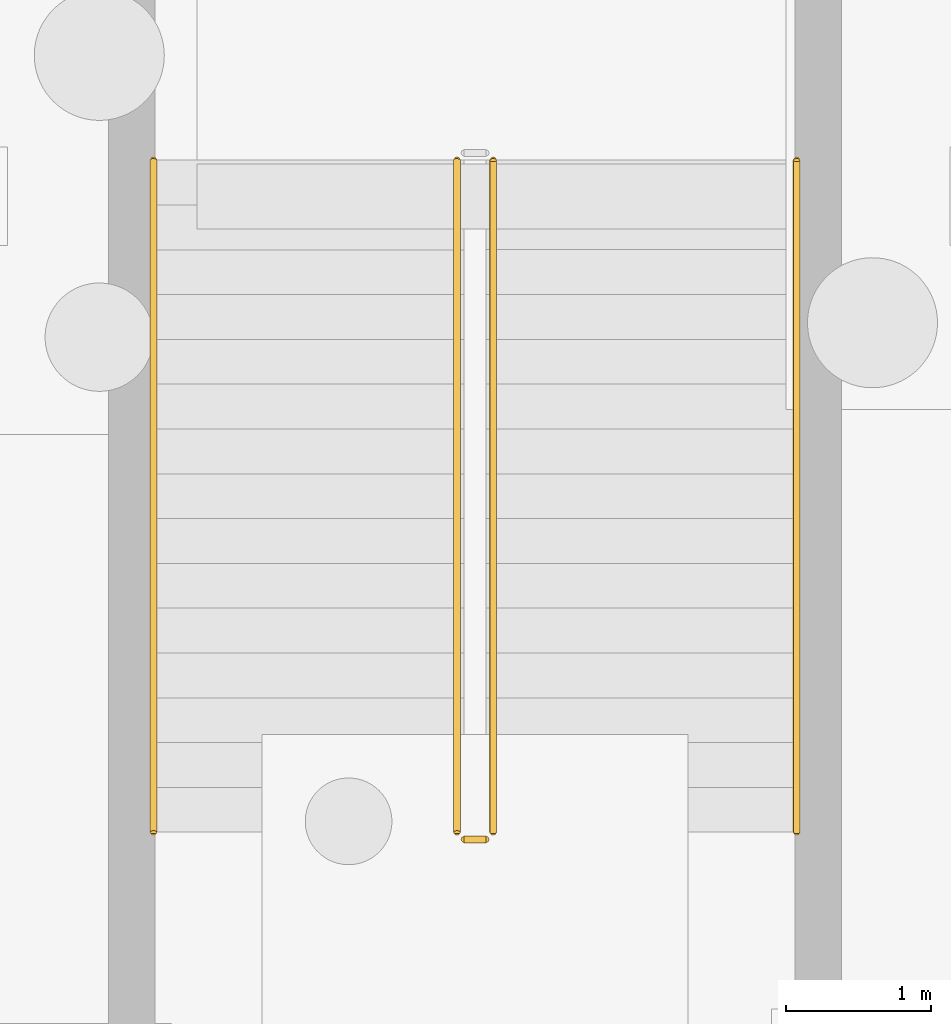
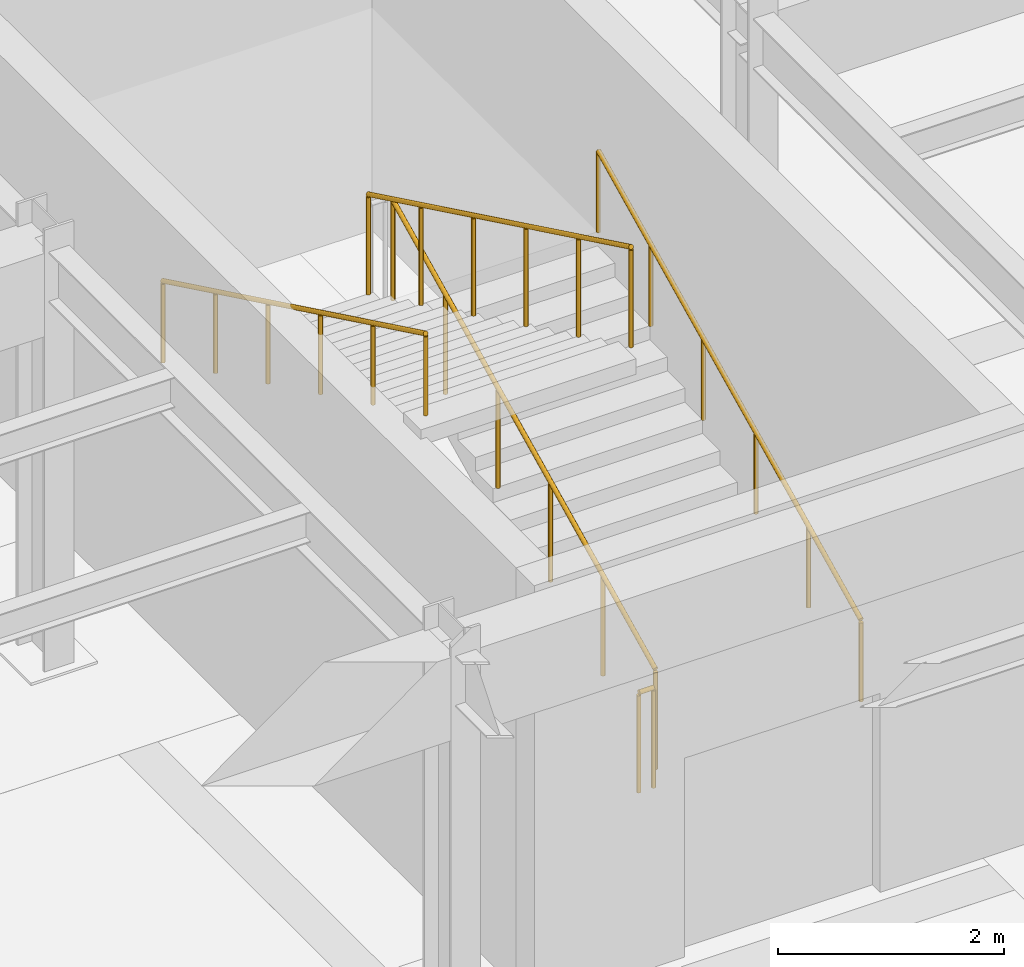
# One storey, part 53 of 64: 5 railings.
"""IFC4 building model written with IfcOpenShell, lengths in metres."""

from ifc_helpers import new_model, si_unit, direction, frame, origin, origin_2d, place, context, subcontext, project, spatial, circle, extrude, material, type_object, element, save


model = new_model("IFC4")

# Units and contexts
model_context = context("Model", 3, precision=1e-05, world=origin(), true_north=direction((0.0, 1.0)))
body_context = subcontext(model_context, "Body", "Model", "MODEL_VIEW")
ifc_project = project(units=[si_unit("LENGTHUNIT", "METRE"), si_unit("AREAUNIT", "SQUARE_METRE"), si_unit("VOLUMEUNIT", "CUBIC_METRE"), si_unit("PLANEANGLEUNIT", "RADIAN"), si_unit("MASSUNIT", "GRAM", prefix="KILO")], contexts=[model_context])

# Site, building, storey
site_placement = place(None, origin())
site = spatial("IfcSite", under=ifc_project, at=site_placement, CompositionType="ELEMENT")
building_placement = place(site_placement, origin())
building = spatial("IfcBuilding", under=site, at=building_placement, Name="Solvadek Multi-Sports Hall", CompositionType="ELEMENT")
storey_placement = place(building_placement, frame((0.0, 0.0, -4.800048828125)))
storey = spatial("IfcBuildingStorey", under=building, at=storey_placement, Name="B1", CompositionType="ELEMENT", Elevation=-4.800048828125)

# Railings
ifc_material = material(Name="Steel E250 (250 MPa)", Category="steel")
railing_type_1 = type_object("IfcRailingType", Name="INT-RAL-GRD115", PredefinedType="BALUSTRADE", material=ifc_material)
railing_1_placement = place(storey_placement, frame((68.5, 44.800048828125, 0.150146484375)))
element("IfcRailing", 1, at=railing_1_placement, inside=storey, type_object=railing_type_1, Name="B1 ST-04 stair guard 1", PredefinedType="BALUSTRADE", context=body_context, shape_type="SweptSolid", body=[
    extrude(circle(Radius=0.02392578125, at=origin_2d()), frame((0.0, 0.0, 1.076171875), z_axis=(0.0, 0.900155664878, 0.435568340204), x_axis=(-1.0, 0.0, 0.0)), (0.0, 0.0, 1.0), 5.165771484375),
    extrude(circle(Radius=0.02099609375, at=origin_2d()), origin(), (0.0, 0.0, 1.0), 1.052001953125),
    extrude(circle(Radius=0.02099609375, at=origin_2d()), frame((0.0, 0.929931640625, 0.449951171875)), (0.0, 0.0, 1.0), 1.052001953125),
    extrude(circle(Radius=0.02099609375, at=origin_2d()), frame((0.0, 1.85986328125, 0.89990234375)), (0.0, 0.0, 1.0), 1.052001953125),
    extrude(circle(Radius=0.02099609375, at=origin_2d()), frame((0.0, 2.7900390625, 1.35009765625)), (0.0, 0.0, 1.0), 1.052001953125),
    extrude(circle(Radius=0.02099609375, at=origin_2d()), frame((0.0, 3.719970703125, 1.800048828125)), (0.0, 0.0, 1.0), 1.052001953125),
    extrude(circle(Radius=0.02099609375, at=origin_2d()), frame((0.0, 4.64990234375, 2.25)), (0.0, 0.0, 1.0), 1.052001953125),
])
railing_2_placement = place(storey_placement, frame((68.25, 49.449951171875, 2.550048828125)))
element("IfcRailing", 2, at=railing_2_placement, inside=storey, type_object=railing_type_1, Name="B1 ST-04 stair guard 3", PredefinedType="BALUSTRADE", context=body_context, shape_type="SweptSolid", body=[
    extrude(circle(Radius=0.02392578125, at=origin_2d()), frame((0.0, 0.0, 1.076171875), z_axis=(0.0, -0.900155664878, 0.435568340204), x_axis=(1.0, 0.0, 0.0)), (0.0, 0.0, 1.0), 5.165771484375),
    extrude(circle(Radius=0.02099609375, at=origin_2d()), origin(), (0.0, 0.0, 1.0), 1.052001953125),
    extrude(circle(Radius=0.02099609375, at=origin_2d()), frame((0.0, -0.929931640625, 0.449951171875)), (0.0, 0.0, 1.0), 1.052001953125),
    extrude(circle(Radius=0.02099609375, at=origin_2d()), frame((0.0, -1.85986328125, 0.89990234375)), (0.0, 0.0, 1.0), 1.052001953125),
    extrude(circle(Radius=0.02099609375, at=origin_2d()), frame((0.0, -2.7900390625, 1.35009765625)), (0.0, 0.0, 1.0), 1.052001953125),
    extrude(circle(Radius=0.02099609375, at=origin_2d()), frame((0.0, -3.719970703125, 1.800048828125)), (0.0, 0.0, 1.0), 1.052001953125),
    extrude(circle(Radius=0.02099609375, at=origin_2d()), frame((0.0, -4.64990234375, 2.25)), (0.0, 0.0, 1.0), 1.052001953125),
])
railing_3_placement = place(storey_placement, frame((68.449951171875, 44.75, 0.0)))
element("IfcRailing", 3, at=railing_3_placement, inside=storey, type_object=railing_type_1, Name="B1 ST-04 stair guard 4", PredefinedType="BALUSTRADE", context=body_context, shape_type="SweptSolid", body=[
    extrude(circle(Radius=0.02392578125, at=origin_2d()), frame((0.0, 0.0, 1.076171875), z_axis=(-1.0, 0.0, 0.0), x_axis=(0.0, -1.0, 0.0)), (0.0, 0.0, 1.0), 0.14990234375),
    extrude(circle(Radius=0.02099609375, at=origin_2d()), origin(), (0.0, 0.0, 1.0), 1.052001953125),
    extrude(circle(Radius=0.02099609375, at=origin_2d()), frame((-0.14990234375, 0.0, 0.0)), (0.0, 0.0, 1.0), 1.052001953125),
])
railing_type_2 = type_object("IfcRailingType", Name="INT-RAL-HND090", PredefinedType="HANDRAIL", material=ifc_material)
railing_4_placement = place(storey_placement, frame((70.60009765625, 44.800048828125, 0.150146484375)))
element("IfcRailing", 4, at=railing_4_placement, inside=storey, type_object=railing_type_2, Name="B1 ST-04 stair handrail 1", PredefinedType="HANDRAIL", context=body_context, shape_type="SweptSolid", body=[
    extrude(circle(Radius=0.02392578125, at=origin_2d()), frame((0.0, 0.0, 0.8759765625), z_axis=(0.0, 0.900155664878, 0.435568340204), x_axis=(-1.0, 0.0, 0.0)), (0.0, 0.0, 1.0), 5.165771484375),
    extrude(circle(Radius=0.02099609375, at=origin_2d()), origin(), (0.0, 0.0, 1.0), 0.851806640625),
    extrude(circle(Radius=0.02099609375, at=origin_2d()), frame((0.0, 0.929931640625, 0.449951171875)), (0.0, 0.0, 1.0), 0.851806640625),
    extrude(circle(Radius=0.02099609375, at=origin_2d()), frame((0.0, 1.85986328125, 0.89990234375)), (0.0, 0.0, 1.0), 0.851806640625),
    extrude(circle(Radius=0.02099609375, at=origin_2d()), frame((0.0, 2.7900390625, 1.35009765625)), (0.0, 0.0, 1.0), 0.851806640625),
    extrude(circle(Radius=0.02099609375, at=origin_2d()), frame((0.0, 3.719970703125, 1.800048828125)), (0.0, 0.0, 1.0), 0.851806640625),
    extrude(circle(Radius=0.02099609375, at=origin_2d()), frame((0.0, 4.64990234375, 2.25)), (0.0, 0.0, 1.0), 0.851806640625),
])
railing_5_placement = place(storey_placement, frame((66.14990234375, 49.449951171875, 2.550048828125)))
element("IfcRailing", 5, at=railing_5_placement, inside=storey, type_object=railing_type_2, Name="B1 ST-04 stair handrail 2", PredefinedType="HANDRAIL", context=body_context, shape_type="SweptSolid", body=[
    extrude(circle(Radius=0.02392578125, at=origin_2d()), frame((0.0, 0.0, 0.8759765625), z_axis=(0.0, -0.900155664878, 0.435568340204), x_axis=(1.0, 0.0, 0.0)), (0.0, 0.0, 1.0), 5.165771484375),
    extrude(circle(Radius=0.02099609375, at=origin_2d()), origin(), (0.0, 0.0, 1.0), 0.851806640625),
    extrude(circle(Radius=0.02099609375, at=origin_2d()), frame((0.0, -0.929931640625, 0.449951171875)), (0.0, 0.0, 1.0), 0.851806640625),
    extrude(circle(Radius=0.02099609375, at=origin_2d()), frame((0.0, -1.85986328125, 0.89990234375)), (0.0, 0.0, 1.0), 0.851806640625),
    extrude(circle(Radius=0.02099609375, at=origin_2d()), frame((0.0, -2.7900390625, 1.35009765625)), (0.0, 0.0, 1.0), 0.851806640625),
    extrude(circle(Radius=0.02099609375, at=origin_2d()), frame((0.0, -3.719970703125, 1.800048828125)), (0.0, 0.0, 1.0), 0.851806640625),
    extrude(circle(Radius=0.02099609375, at=origin_2d()), frame((0.0, -4.64990234375, 2.25)), (0.0, 0.0, 1.0), 0.851806640625),
])

save(model, "model.ifc")
